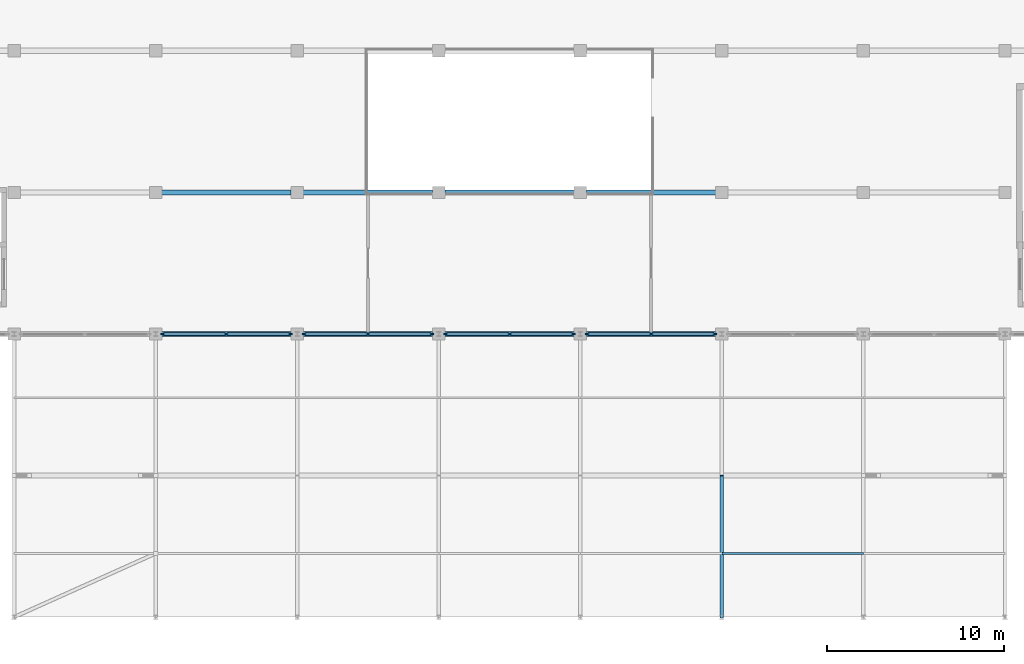
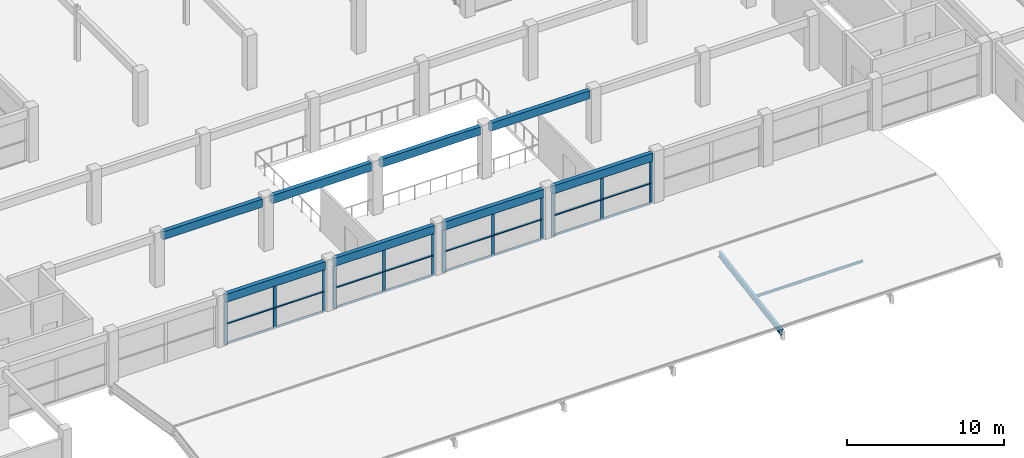
# One storey, part 11 of 67: 37 members, 9 beams, 4 elements without a shape of their own.
"""IFC4 building model written with IfcOpenShell, lengths in metres."""

import ifcopenshell
import ifcopenshell.guid

model = None  # the IFC model being written
_history = None  # IfcOwnerHistory: only IFC2X3 demands one
_inside = {}  # id of a spatial element -> (the spatial element, [elements in it])
_under = {}  # id of a project, library or spatial element -> (it, [spatial elements below it])
_declared = {}  # id of a project -> (the project, [libraries it declares])
_typed = {}  # id of a type object -> (the type object, [elements of that type])
_made_of = {}  # id of a material, layer set ... -> (it, [elements and type objects made of it])


def new_model(schema):
    """Start an empty IFC model of exactly this schema.

    Asked for "IFC4X3", IfcOpenShell would pick the latest addendum, in which some entities
    have other attributes; the version numbers below select the first issue.
    IFC2X3 requires an IfcOwnerHistory on every rooted entity: one is made here for all.
    """
    global model, _history
    if schema == "IFC4X3":
        model = ifcopenshell.file(schema_version=(4, 3, 0, 0))
    else:
        model = ifcopenshell.file(schema=schema)
    _inside.clear()
    _under.clear()
    _declared.clear()
    _typed.clear()
    _made_of.clear()
    _history = None
    if model.schema == "IFC2X3":
        org = make("IfcOrganization", Name="unknown")
        user = make(
            "IfcPersonAndOrganization",
            ThePerson=make("IfcPerson", FamilyName="unknown"),
            TheOrganization=org,
        )
        app = make(
            "IfcApplication",
            ApplicationDeveloper=org,
            Version="unknown",
            ApplicationFullName="unknown",
            ApplicationIdentifier="unknown",
        )
        _history = make(
            "IfcOwnerHistory",
            OwningUser=user,
            OwningApplication=app,
            ChangeAction="ADDED",
            CreationDate=0,
        )
    return model


def make(cls, **values):
    """One entity of the class cls with the attributes given. An attribute that is None is left unset."""
    return model.create_entity(
        cls, **{name: value for name, value in values.items() if value is not None}
    )


def rooted(cls, **values):
    """An entity with a GlobalId (a new one), such as an element, a storey or a relation."""
    return make(cls, GlobalId=ifcopenshell.guid.new(), OwnerHistory=_history, **values)


def si_unit(unit_type, name, prefix=None):
    """IfcSIUnit, for example si_unit("LENGTHUNIT", "METRE", prefix="MILLI")."""
    return make("IfcSIUnit", UnitType=unit_type, Prefix=prefix, Name=name)


def assignment(units):
    """IfcUnitAssignment: the units of a project."""
    return None if units is None else make("IfcUnitAssignment", Units=units)


def point(xyz):
    """IfcCartesianPoint."""
    return None if xyz is None else make("IfcCartesianPoint", Coordinates=xyz)


def direction(xyz):
    """IfcDirection."""
    return None if xyz is None else make("IfcDirection", DirectionRatios=xyz)


def frame(location, z_axis=None, x_axis=None):
    """IfcAxis2Placement3D, a coordinate frame: its origin and axes. An axis left out is left unset."""
    return make(
        "IfcAxis2Placement3D",
        Location=point(location),
        Axis=direction(z_axis),
        RefDirection=direction(x_axis),
    )


def frame_2d(location, x_axis=None):
    """IfcAxis2Placement2D, a coordinate frame in the plane: its origin and x axis."""
    return make(
        "IfcAxis2Placement2D", Location=point(location), RefDirection=direction(x_axis)
    )


def origin():
    """The frame at (0, 0, 0) with its axes left unset."""
    return frame((0.0, 0.0, 0.0))


def origin_2d():
    """The frame at (0, 0) in the plane with its x axis left unset."""
    return frame_2d((0.0, 0.0))


def place(relative_to, where):
    """IfcLocalPlacement: puts the frame where relative to a parent placement (None: the world)."""
    return make(
        "IfcLocalPlacement", PlacementRelTo=relative_to, RelativePlacement=where
    )


def context(
    kind, dimensions, precision=None, world=None, true_north=None, identifier=None
):
    """IfcGeometricRepresentationContext, for example the 3D "Model" context."""
    return make(
        "IfcGeometricRepresentationContext",
        ContextIdentifier=identifier,
        ContextType=kind,
        CoordinateSpaceDimension=dimensions,
        Precision=precision,
        WorldCoordinateSystem=world,
        TrueNorth=true_north,
    )


def subcontext(parent, identifier, kind, view, scale=None):
    """IfcGeometricRepresentationSubContext, for example "Body" below "Model"."""
    return make(
        "IfcGeometricRepresentationSubContext",
        ContextIdentifier=identifier,
        ContextType=kind,
        ParentContext=parent,
        TargetScale=scale,
        TargetView=view,
    )


def project(units=None, contexts=None):
    """IfcProject with its units and contexts."""
    return rooted(
        "IfcProject",
        Name="project",
        RepresentationContexts=contexts,
        UnitsInContext=assignment(units),
    )


def spatial(cls, under=None, at=None, **own):
    """A site, building, storey or space (cls), placed at a placement, below another one or the project."""
    s = rooted(cls, ObjectPlacement=at, **own)
    if under is not None:
        _under.setdefault(under.id(), (under, []))[1].append(s)
    return s


def profile(cls, at=None, kind="AREA", **sizes):
    """A parametric profile (cls). Its sizes go by their IFC names, for example OverallWidth=200.0."""
    return make(cls, ProfileType=kind, Position=at, **sizes)


def rectangle(**sizes):
    """IfcRectangleProfileDef."""
    return profile("IfcRectangleProfileDef", **sizes)


def i_section(**sizes):
    """IfcIShapeProfileDef."""
    return profile("IfcIShapeProfileDef", **sizes)


def extrude(swept, where, along, depth):
    """IfcExtrudedAreaSolid: the profile swept, set in the frame where, extruded along a direction by depth."""
    return make(
        "IfcExtrudedAreaSolid",
        SweptArea=swept,
        Position=where,
        ExtrudedDirection=direction(along),
        Depth=depth,
    )


def shape(context_of_items, identifier, shape_type, items):
    """IfcShapeRepresentation: the items that make up one representation, for example the "Body"."""
    return make(
        "IfcShapeRepresentation",
        ContextOfItems=context_of_items,
        RepresentationIdentifier=identifier,
        RepresentationType=shape_type,
        Items=items,
    )


def material(Name=None, Category=None):
    """IfcMaterial."""
    return make("IfcMaterial", Name=Name, Category=Category)


def material_profile(
    of_material, cross_section, Name=None, Category=None, Priority=None
):
    """IfcMaterialProfile: a cross section and its material."""
    return make(
        "IfcMaterialProfile",
        Name=Name,
        Material=of_material,
        Profile=cross_section,
        Priority=Priority,
        Category=Category,
    )


def profile_set(profiles, Name=None, composite=None):
    """IfcMaterialProfileSet."""
    return make(
        "IfcMaterialProfileSet",
        Name=Name,
        MaterialProfiles=profiles,
        CompositeProfile=composite,
    )


def made_of(thing, what):
    """Note that an element or type object is made of a material, layer set ...; save() writes the relation."""
    if what is not None:
        _made_of.setdefault(what.id(), (what, []))[1].append(thing)
    return thing


def type_object(cls, material=None, **own):
    """A type object (cls), such as IfcWallType, which elements share."""
    return made_of(rooted(cls, **own), material)


def element(
    cls,
    number,
    at=None,
    inside=None,
    cuts=None,
    type_object=None,
    material=None,
    context=None,
    identifier="Body",
    shape_type=None,
    held_by="IfcProductDefinitionShape",
    body=None,
    shapes=None,
    **own,
):
    """One element of the class cls, such as IfcWall. Its Tag is "e" and its number.

    at: its placement. inside: the storey or other place that contains it. cuts: it is an
    opening in that element (IfcRelVoidsElement). A single representation is given by context,
    identifier, shape_type and body (its items); several are given by shapes. held_by: the class
    of the entity that holds the representations. save() writes the other relations.
    """
    e = rooted(cls, Tag="e%d" % number, ObjectPlacement=at, **own)
    if body is not None:
        shapes = [shape(context, identifier, shape_type, body)]
    if shapes is not None:
        e.Representation = make(held_by, Representations=shapes)
    if inside is not None:
        _inside.setdefault(inside.id(), (inside, []))[1].append(e)
    if cuts is not None:
        rooted(
            "IfcRelVoidsElement", RelatingBuildingElement=cuts, RelatedOpeningElement=e
        )
    if type_object is not None:
        _typed.setdefault(type_object.id(), (type_object, []))[1].append(e)
    return made_of(e, material)


def aggregate(whole, parts):
    """IfcRelAggregates: a whole, such as a stair, and the parts it consists of."""
    return rooted("IfcRelAggregates", RelatingObject=whole, RelatedObjects=parts)


def save(model, path):
    """Write the relations noted so far, then the file.

    IfcRelAggregates (storeys below a building ...), IfcRelContainedInSpatialStructure (elements
    in a storey), IfcRelDefinesByType, IfcRelAssociatesMaterial and IfcRelDeclares: one each for
    every whole, place, type object, material and project.
    """
    for whole, parts in _under.values():
        aggregate(whole, parts)
    for where, things in _inside.values():
        rooted(
            "IfcRelContainedInSpatialStructure",
            RelatedElements=things,
            RelatingStructure=where,
        )
    for kind, things in _typed.values():
        rooted("IfcRelDefinesByType", RelatedObjects=things, RelatingType=kind)
    for what, things in _made_of.values():
        rooted("IfcRelAssociatesMaterial", RelatedObjects=things, RelatingMaterial=what)
    for by, libraries in _declared.values():
        rooted("IfcRelDeclares", RelatingContext=by, RelatedDefinitions=libraries)
    model.write(path)


model = new_model("IFC4")

# Units and contexts
model_context = context("Model", 3, precision=1e-05, world=origin(), true_north=direction((0.0, 1.0)))
body_context = subcontext(model_context, "Body", "Model", "MODEL_VIEW")
ifc_project = project(units=[si_unit("LENGTHUNIT", "METRE"), si_unit("AREAUNIT", "SQUARE_METRE"), si_unit("VOLUMEUNIT", "CUBIC_METRE"), si_unit("PLANEANGLEUNIT", "RADIAN"), si_unit("MASSUNIT", "GRAM", prefix="KILO")], contexts=[model_context])

# Site, building, storey
site_placement = place(None, origin())
site = spatial("IfcSite", under=ifc_project, at=site_placement, CompositionType="ELEMENT")
building_placement = place(site_placement, origin())
building = spatial("IfcBuilding", under=site, at=building_placement, Name="Kenh Van Central Station", CompositionType="ELEMENT")
storey_placement = place(building_placement, frame((0.0, 0.0, 10.800048828125)))
storey = spatial("IfcBuildingStorey", under=building, at=storey_placement, Name="L02", CompositionType="ELEMENT", Elevation=10.800048828125)

# Beam
ifc_material_1 = material(Name="Steel S355", Category="steel")
ifc_material_profile_1 = material_profile(ifc_material_1, i_section(OverallWidth=0.18994140625, OverallDepth=0.449951171875, WebThickness=0.009521484375, FlangeThickness=0.0146484375, FilletRadius=0.02099609375, at=origin_2d()), Name="IPE 450")
ifc_profile_set_1 = profile_set([ifc_material_profile_1], Name="Steel S355")
beam_type_1 = type_object("IfcBeamType", Name="BM-STL-IPE450", PredefinedType="BEAM", material=ifc_profile_set_1)
beam_placement = place(storey_placement, frame((96.0, 0.0, -0.4453125), z_axis=(0.0, 0.987051780814, 0.160401938868), x_axis=(-1.0, 0.0, 0.0)))
element("IfcBeam", 1, at=beam_placement, inside=storey, type_object=beam_type_1, Name="L02 roof rafter 018", PredefinedType="BEAM", context=body_context, shape_type="SweptSolid", body=[
    extrude(i_section(OverallWidth=0.18994140625, OverallDepth=0.449951171875, WebThickness=0.009521484375, FlangeThickness=0.0146484375, FilletRadius=0.02099609375, at=origin_2d()), origin(), (0.0, 0.0, 1.0), 8.10498046875),
])

# Curtain wall, members
ifc_material_2 = material(Name="Champagne anodised aluminium", Category="aluminium")
curtain_wall_type = type_object("IfcCurtainWallType", Name="CW-CONC-A", PredefinedType="NOTDEFINED", material=ifc_material_2)
curtain_wall_1_placement = place(storey_placement, origin())
curtain_wall_1 = element("IfcCurtainWall", 2, at=curtain_wall_1_placement, inside=storey, type_object=curtain_wall_type, Name="L02 curtain wall 161", PredefinedType="NOTDEFINED")
ifc_material_profile_2 = material_profile(ifc_material_2, rectangle(XDim=0.08203125, YDim=0.22509765625, at=origin_2d()), Name="AL 82x225")
ifc_profile_set_2 = profile_set([ifc_material_profile_2], Name="Champagne anodised aluminium")
member_type_1 = type_object("IfcMemberType", Name="CWM-70x180", PredefinedType="MULLION", material=ifc_profile_set_2)
member_1_placement = place(storey_placement, frame((64.39111328125, 16.0, 0.0), z_axis=(0.0, 0.0, 1.0), x_axis=(0.0, 1.0, 0.0)))
member_1 = element("IfcMember", 3, at=member_1_placement, type_object=member_type_1, Name="CW-03 mullion 1", PredefinedType="MULLION", context=body_context, shape_type="SweptSolid", body=[
    extrude(rectangle(XDim=0.08203125, YDim=0.22509765625, at=origin_2d()), origin(), (0.0, 0.0, 1.0), 3.35986328125),
])
member_2_placement = place(storey_placement, frame((68.0, 16.0, 0.0), z_axis=(0.0, 0.0, 1.0), x_axis=(0.0, 1.0, 0.0)))
member_2 = element("IfcMember", 4, at=member_2_placement, type_object=member_type_1, Name="CW-03 mullion 2", PredefinedType="MULLION", context=body_context, shape_type="SweptSolid", body=[
    extrude(rectangle(XDim=0.08203125, YDim=0.22509765625, at=origin_2d()), origin(), (0.0, 0.0, 1.0), 3.35986328125),
])
member_3_placement = place(storey_placement, frame((71.60888671875, 16.0, 0.0), z_axis=(0.0, 0.0, 1.0), x_axis=(0.0, 1.0, 0.0)))
member_3 = element("IfcMember", 5, at=member_3_placement, type_object=member_type_1, Name="CW-03 mullion 3", PredefinedType="MULLION", context=body_context, shape_type="SweptSolid", body=[
    extrude(rectangle(XDim=0.08203125, YDim=0.22509765625, at=origin_2d()), origin(), (0.0, 0.0, 1.0), 3.35986328125),
])

curtain_wall_2_placement = place(storey_placement, origin())
curtain_wall_2 = element("IfcCurtainWall", 6, at=curtain_wall_2_placement, inside=storey, type_object=curtain_wall_type, Name="L02 curtain wall 162", PredefinedType="NOTDEFINED")
member_4_placement = place(storey_placement, frame((72.39111328125, 16.0, 0.0), z_axis=(0.0, 0.0, 1.0), x_axis=(0.0, 1.0, 0.0)))
member_4 = element("IfcMember", 7, at=member_4_placement, type_object=member_type_1, Name="CW-03 mullion 1", PredefinedType="MULLION", context=body_context, shape_type="SweptSolid", body=[
    extrude(rectangle(XDim=0.08203125, YDim=0.22509765625, at=origin_2d()), origin(), (0.0, 0.0, 1.0), 3.35986328125),
])
member_5_placement = place(storey_placement, frame((76.0, 16.0, 0.0), z_axis=(0.0, 0.0, 1.0), x_axis=(0.0, 1.0, 0.0)))
member_5 = element("IfcMember", 8, at=member_5_placement, type_object=member_type_1, Name="CW-03 mullion 2", PredefinedType="MULLION", context=body_context, shape_type="SweptSolid", body=[
    extrude(rectangle(XDim=0.08203125, YDim=0.22509765625, at=origin_2d()), origin(), (0.0, 0.0, 1.0), 3.35986328125),
])
member_6_placement = place(storey_placement, frame((79.60888671875, 16.0, 0.0), z_axis=(0.0, 0.0, 1.0), x_axis=(0.0, 1.0, 0.0)))
member_6 = element("IfcMember", 9, at=member_6_placement, type_object=member_type_1, Name="CW-03 mullion 3", PredefinedType="MULLION", context=body_context, shape_type="SweptSolid", body=[
    extrude(rectangle(XDim=0.08203125, YDim=0.22509765625, at=origin_2d()), origin(), (0.0, 0.0, 1.0), 3.35986328125),
])

curtain_wall_3_placement = place(storey_placement, origin())
curtain_wall_3 = element("IfcCurtainWall", 10, at=curtain_wall_3_placement, inside=storey, type_object=curtain_wall_type, Name="L02 curtain wall 163", PredefinedType="NOTDEFINED")
member_7_placement = place(storey_placement, frame((80.39111328125, 16.0, 0.0), z_axis=(0.0, 0.0, 1.0), x_axis=(0.0, 1.0, 0.0)))
member_7 = element("IfcMember", 11, at=member_7_placement, type_object=member_type_1, Name="CW-03 mullion 1", PredefinedType="MULLION", context=body_context, shape_type="SweptSolid", body=[
    extrude(rectangle(XDim=0.08203125, YDim=0.22509765625, at=origin_2d()), origin(), (0.0, 0.0, 1.0), 3.35986328125),
])
member_8_placement = place(storey_placement, frame((84.0, 16.0, 0.0), z_axis=(0.0, 0.0, 1.0), x_axis=(0.0, 1.0, 0.0)))
member_8 = element("IfcMember", 12, at=member_8_placement, type_object=member_type_1, Name="CW-03 mullion 2", PredefinedType="MULLION", context=body_context, shape_type="SweptSolid", body=[
    extrude(rectangle(XDim=0.08203125, YDim=0.22509765625, at=origin_2d()), origin(), (0.0, 0.0, 1.0), 3.35986328125),
])
member_9_placement = place(storey_placement, frame((87.60888671875, 16.0, 0.0), z_axis=(0.0, 0.0, 1.0), x_axis=(0.0, 1.0, 0.0)))
member_9 = element("IfcMember", 13, at=member_9_placement, type_object=member_type_1, Name="CW-03 mullion 3", PredefinedType="MULLION", context=body_context, shape_type="SweptSolid", body=[
    extrude(rectangle(XDim=0.08203125, YDim=0.22509765625, at=origin_2d()), origin(), (0.0, 0.0, 1.0), 3.35986328125),
])

curtain_wall_4_placement = place(storey_placement, origin())
curtain_wall_4 = element("IfcCurtainWall", 14, at=curtain_wall_4_placement, inside=storey, type_object=curtain_wall_type, Name="L02 curtain wall 164", PredefinedType="NOTDEFINED")
member_10_placement = place(storey_placement, frame((88.39111328125, 16.0, 0.0), z_axis=(0.0, 0.0, 1.0), x_axis=(0.0, 1.0, 0.0)))
member_10 = element("IfcMember", 15, at=member_10_placement, type_object=member_type_1, Name="CW-03 mullion 1", PredefinedType="MULLION", context=body_context, shape_type="SweptSolid", body=[
    extrude(rectangle(XDim=0.08203125, YDim=0.22509765625, at=origin_2d()), origin(), (0.0, 0.0, 1.0), 3.35986328125),
])
member_11_placement = place(storey_placement, frame((92.0, 16.0, 0.0), z_axis=(0.0, 0.0, 1.0), x_axis=(0.0, 1.0, 0.0)))
member_11 = element("IfcMember", 16, at=member_11_placement, type_object=member_type_1, Name="CW-03 mullion 2", PredefinedType="MULLION", context=body_context, shape_type="SweptSolid", body=[
    extrude(rectangle(XDim=0.08203125, YDim=0.22509765625, at=origin_2d()), origin(), (0.0, 0.0, 1.0), 3.35986328125),
])
member_12_placement = place(storey_placement, frame((95.60888671875, 16.0, 0.0), z_axis=(0.0, 0.0, 1.0), x_axis=(0.0, 1.0, 0.0)))
member_12 = element("IfcMember", 17, at=member_12_placement, type_object=member_type_1, Name="CW-03 mullion 3", PredefinedType="MULLION", context=body_context, shape_type="SweptSolid", body=[
    extrude(rectangle(XDim=0.08203125, YDim=0.22509765625, at=origin_2d()), origin(), (0.0, 0.0, 1.0), 3.35986328125),
])

# Member
ifc_material_profile_3 = material_profile(ifc_material_2, rectangle(XDim=0.155029296875, YDim=0.072021484375, at=origin_2d()), Name="AL 155x72")
ifc_profile_set_3 = profile_set([ifc_material_profile_3], Name="Champagne anodised aluminium")
member_type_2 = type_object("IfcMemberType", Name="CWT-120x60", PredefinedType="USERDEFINED", material=ifc_profile_set_3)
member_13_placement = place(storey_placement, frame((64.431884765625, 16.0, 0.035888671875), z_axis=(1.0, 0.0, 0.0), x_axis=(0.0, 1.0, 0.0)))
member_13 = element("IfcMember", 18, at=member_13_placement, type_object=member_type_2, Name="CW-03 transom 1.1", ObjectType="TRANSOM", PredefinedType="USERDEFINED", context=body_context, shape_type="SweptSolid", body=[
    extrude(rectangle(XDim=0.155029296875, YDim=0.072021484375, at=origin_2d()), origin(), (0.0, 0.0, 1.0), 3.527099609375),
])

member_14_placement = place(storey_placement, frame((64.431884765625, 16.0, 1.61279296875), z_axis=(1.0, 0.0, 0.0), x_axis=(0.0, 1.0, 0.0)))
member_14 = element("IfcMember", 19, at=member_14_placement, type_object=member_type_2, Name="CW-03 transom 1.2", ObjectType="TRANSOM", PredefinedType="USERDEFINED", context=body_context, shape_type="SweptSolid", body=[
    extrude(rectangle(XDim=0.155029296875, YDim=0.072021484375, at=origin_2d()), origin(), (0.0, 0.0, 1.0), 3.527099609375),
])

member_15_placement = place(storey_placement, frame((64.431884765625, 16.0, 3.323974609375), z_axis=(1.0, 0.0, 0.0), x_axis=(0.0, 1.0, 0.0)))
member_15 = element("IfcMember", 20, at=member_15_placement, type_object=member_type_2, Name="CW-03 transom 1.3", ObjectType="TRANSOM", PredefinedType="USERDEFINED", context=body_context, shape_type="SweptSolid", body=[
    extrude(rectangle(XDim=0.155029296875, YDim=0.072021484375, at=origin_2d()), origin(), (0.0, 0.0, 1.0), 3.527099609375),
])

member_16_placement = place(storey_placement, frame((68.041015625, 16.0, 0.035888671875), z_axis=(1.0, 0.0, 0.0), x_axis=(0.0, 1.0, 0.0)))
member_16 = element("IfcMember", 21, at=member_16_placement, type_object=member_type_2, Name="CW-03 transom 2.1", ObjectType="TRANSOM", PredefinedType="USERDEFINED", context=body_context, shape_type="SweptSolid", body=[
    extrude(rectangle(XDim=0.155029296875, YDim=0.072021484375, at=origin_2d()), origin(), (0.0, 0.0, 1.0), 3.527099609375),
])

member_17_placement = place(storey_placement, frame((68.041015625, 16.0, 1.61279296875), z_axis=(1.0, 0.0, 0.0), x_axis=(0.0, 1.0, 0.0)))
member_17 = element("IfcMember", 22, at=member_17_placement, type_object=member_type_2, Name="CW-03 transom 2.2", ObjectType="TRANSOM", PredefinedType="USERDEFINED", context=body_context, shape_type="SweptSolid", body=[
    extrude(rectangle(XDim=0.155029296875, YDim=0.072021484375, at=origin_2d()), origin(), (0.0, 0.0, 1.0), 3.527099609375),
])

member_18_placement = place(storey_placement, frame((68.041015625, 16.0, 3.323974609375), z_axis=(1.0, 0.0, 0.0), x_axis=(0.0, 1.0, 0.0)))
member_18 = element("IfcMember", 23, at=member_18_placement, type_object=member_type_2, Name="CW-03 transom 2.3", ObjectType="TRANSOM", PredefinedType="USERDEFINED", context=body_context, shape_type="SweptSolid", body=[
    extrude(rectangle(XDim=0.155029296875, YDim=0.072021484375, at=origin_2d()), origin(), (0.0, 0.0, 1.0), 3.527099609375),
])

aggregate(curtain_wall_1, [member_1, member_2, member_3, member_13, member_14, member_15, member_16, member_17, member_18])

member_19_placement = place(storey_placement, frame((72.431884765625, 16.0, 0.035888671875), z_axis=(1.0, 0.0, 0.0), x_axis=(0.0, 1.0, 0.0)))
member_19 = element("IfcMember", 24, at=member_19_placement, type_object=member_type_2, Name="CW-03 transom 1.1", ObjectType="TRANSOM", PredefinedType="USERDEFINED", context=body_context, shape_type="SweptSolid", body=[
    extrude(rectangle(XDim=0.155029296875, YDim=0.072021484375, at=origin_2d()), origin(), (0.0, 0.0, 1.0), 3.527099609375),
])

member_20_placement = place(storey_placement, frame((72.431884765625, 16.0, 1.61279296875), z_axis=(1.0, 0.0, 0.0), x_axis=(0.0, 1.0, 0.0)))
member_20 = element("IfcMember", 25, at=member_20_placement, type_object=member_type_2, Name="CW-03 transom 1.2", ObjectType="TRANSOM", PredefinedType="USERDEFINED", context=body_context, shape_type="SweptSolid", body=[
    extrude(rectangle(XDim=0.155029296875, YDim=0.072021484375, at=origin_2d()), origin(), (0.0, 0.0, 1.0), 3.527099609375),
])

member_21_placement = place(storey_placement, frame((72.431884765625, 16.0, 3.323974609375), z_axis=(1.0, 0.0, 0.0), x_axis=(0.0, 1.0, 0.0)))
member_21 = element("IfcMember", 26, at=member_21_placement, type_object=member_type_2, Name="CW-03 transom 1.3", ObjectType="TRANSOM", PredefinedType="USERDEFINED", context=body_context, shape_type="SweptSolid", body=[
    extrude(rectangle(XDim=0.155029296875, YDim=0.072021484375, at=origin_2d()), origin(), (0.0, 0.0, 1.0), 3.527099609375),
])

member_22_placement = place(storey_placement, frame((76.041015625, 16.0, 0.035888671875), z_axis=(1.0, 0.0, 0.0), x_axis=(0.0, 1.0, 0.0)))
member_22 = element("IfcMember", 27, at=member_22_placement, type_object=member_type_2, Name="CW-03 transom 2.1", ObjectType="TRANSOM", PredefinedType="USERDEFINED", context=body_context, shape_type="SweptSolid", body=[
    extrude(rectangle(XDim=0.155029296875, YDim=0.072021484375, at=origin_2d()), origin(), (0.0, 0.0, 1.0), 3.527099609375),
])

member_23_placement = place(storey_placement, frame((76.041015625, 16.0, 1.61279296875), z_axis=(1.0, 0.0, 0.0), x_axis=(0.0, 1.0, 0.0)))
member_23 = element("IfcMember", 28, at=member_23_placement, type_object=member_type_2, Name="CW-03 transom 2.2", ObjectType="TRANSOM", PredefinedType="USERDEFINED", context=body_context, shape_type="SweptSolid", body=[
    extrude(rectangle(XDim=0.155029296875, YDim=0.072021484375, at=origin_2d()), origin(), (0.0, 0.0, 1.0), 3.527099609375),
])

member_24_placement = place(storey_placement, frame((76.041015625, 16.0, 3.323974609375), z_axis=(1.0, 0.0, 0.0), x_axis=(0.0, 1.0, 0.0)))
member_24 = element("IfcMember", 29, at=member_24_placement, type_object=member_type_2, Name="CW-03 transom 2.3", ObjectType="TRANSOM", PredefinedType="USERDEFINED", context=body_context, shape_type="SweptSolid", body=[
    extrude(rectangle(XDim=0.155029296875, YDim=0.072021484375, at=origin_2d()), origin(), (0.0, 0.0, 1.0), 3.527099609375),
])

aggregate(curtain_wall_2, [member_4, member_5, member_6, member_19, member_20, member_21, member_22, member_23, member_24])

member_25_placement = place(storey_placement, frame((80.431884765625, 16.0, 0.035888671875), z_axis=(1.0, 0.0, 0.0), x_axis=(0.0, 1.0, 0.0)))
member_25 = element("IfcMember", 30, at=member_25_placement, type_object=member_type_2, Name="CW-03 transom 1.1", ObjectType="TRANSOM", PredefinedType="USERDEFINED", context=body_context, shape_type="SweptSolid", body=[
    extrude(rectangle(XDim=0.155029296875, YDim=0.072021484375, at=origin_2d()), origin(), (0.0, 0.0, 1.0), 3.527099609375),
])

member_26_placement = place(storey_placement, frame((80.431884765625, 16.0, 1.61279296875), z_axis=(1.0, 0.0, 0.0), x_axis=(0.0, 1.0, 0.0)))
member_26 = element("IfcMember", 31, at=member_26_placement, type_object=member_type_2, Name="CW-03 transom 1.2", ObjectType="TRANSOM", PredefinedType="USERDEFINED", context=body_context, shape_type="SweptSolid", body=[
    extrude(rectangle(XDim=0.155029296875, YDim=0.072021484375, at=origin_2d()), origin(), (0.0, 0.0, 1.0), 3.527099609375),
])

member_27_placement = place(storey_placement, frame((80.431884765625, 16.0, 3.323974609375), z_axis=(1.0, 0.0, 0.0), x_axis=(0.0, 1.0, 0.0)))
member_27 = element("IfcMember", 32, at=member_27_placement, type_object=member_type_2, Name="CW-03 transom 1.3", ObjectType="TRANSOM", PredefinedType="USERDEFINED", context=body_context, shape_type="SweptSolid", body=[
    extrude(rectangle(XDim=0.155029296875, YDim=0.072021484375, at=origin_2d()), origin(), (0.0, 0.0, 1.0), 3.527099609375),
])

member_28_placement = place(storey_placement, frame((84.041015625, 16.0, 0.035888671875), z_axis=(1.0, 0.0, 0.0), x_axis=(0.0, 1.0, 0.0)))
member_28 = element("IfcMember", 33, at=member_28_placement, type_object=member_type_2, Name="CW-03 transom 2.1", ObjectType="TRANSOM", PredefinedType="USERDEFINED", context=body_context, shape_type="SweptSolid", body=[
    extrude(rectangle(XDim=0.155029296875, YDim=0.072021484375, at=origin_2d()), origin(), (0.0, 0.0, 1.0), 3.527099609375),
])

member_29_placement = place(storey_placement, frame((84.041015625, 16.0, 1.61279296875), z_axis=(1.0, 0.0, 0.0), x_axis=(0.0, 1.0, 0.0)))
member_29 = element("IfcMember", 34, at=member_29_placement, type_object=member_type_2, Name="CW-03 transom 2.2", ObjectType="TRANSOM", PredefinedType="USERDEFINED", context=body_context, shape_type="SweptSolid", body=[
    extrude(rectangle(XDim=0.155029296875, YDim=0.072021484375, at=origin_2d()), origin(), (0.0, 0.0, 1.0), 3.527099609375),
])

member_30_placement = place(storey_placement, frame((84.041015625, 16.0, 3.323974609375), z_axis=(1.0, 0.0, 0.0), x_axis=(0.0, 1.0, 0.0)))
member_30 = element("IfcMember", 35, at=member_30_placement, type_object=member_type_2, Name="CW-03 transom 2.3", ObjectType="TRANSOM", PredefinedType="USERDEFINED", context=body_context, shape_type="SweptSolid", body=[
    extrude(rectangle(XDim=0.155029296875, YDim=0.072021484375, at=origin_2d()), origin(), (0.0, 0.0, 1.0), 3.527099609375),
])

aggregate(curtain_wall_3, [member_7, member_8, member_9, member_25, member_26, member_27, member_28, member_29, member_30])

member_31_placement = place(storey_placement, frame((88.431884765625, 16.0, 0.035888671875), z_axis=(1.0, 0.0, 0.0), x_axis=(0.0, 1.0, 0.0)))
member_31 = element("IfcMember", 36, at=member_31_placement, type_object=member_type_2, Name="CW-03 transom 1.1", ObjectType="TRANSOM", PredefinedType="USERDEFINED", context=body_context, shape_type="SweptSolid", body=[
    extrude(rectangle(XDim=0.155029296875, YDim=0.072021484375, at=origin_2d()), origin(), (0.0, 0.0, 1.0), 3.527099609375),
])

member_32_placement = place(storey_placement, frame((88.431884765625, 16.0, 1.61279296875), z_axis=(1.0, 0.0, 0.0), x_axis=(0.0, 1.0, 0.0)))
member_32 = element("IfcMember", 37, at=member_32_placement, type_object=member_type_2, Name="CW-03 transom 1.2", ObjectType="TRANSOM", PredefinedType="USERDEFINED", context=body_context, shape_type="SweptSolid", body=[
    extrude(rectangle(XDim=0.155029296875, YDim=0.072021484375, at=origin_2d()), origin(), (0.0, 0.0, 1.0), 3.527099609375),
])

member_33_placement = place(storey_placement, frame((88.431884765625, 16.0, 3.323974609375), z_axis=(1.0, 0.0, 0.0), x_axis=(0.0, 1.0, 0.0)))
member_33 = element("IfcMember", 38, at=member_33_placement, type_object=member_type_2, Name="CW-03 transom 1.3", ObjectType="TRANSOM", PredefinedType="USERDEFINED", context=body_context, shape_type="SweptSolid", body=[
    extrude(rectangle(XDim=0.155029296875, YDim=0.072021484375, at=origin_2d()), origin(), (0.0, 0.0, 1.0), 3.527099609375),
])

member_34_placement = place(storey_placement, frame((92.041015625, 16.0, 0.035888671875), z_axis=(1.0, 0.0, 0.0), x_axis=(0.0, 1.0, 0.0)))
member_34 = element("IfcMember", 39, at=member_34_placement, type_object=member_type_2, Name="CW-03 transom 2.1", ObjectType="TRANSOM", PredefinedType="USERDEFINED", context=body_context, shape_type="SweptSolid", body=[
    extrude(rectangle(XDim=0.155029296875, YDim=0.072021484375, at=origin_2d()), origin(), (0.0, 0.0, 1.0), 3.527099609375),
])

member_35_placement = place(storey_placement, frame((92.041015625, 16.0, 1.61279296875), z_axis=(1.0, 0.0, 0.0), x_axis=(0.0, 1.0, 0.0)))
member_35 = element("IfcMember", 40, at=member_35_placement, type_object=member_type_2, Name="CW-03 transom 2.2", ObjectType="TRANSOM", PredefinedType="USERDEFINED", context=body_context, shape_type="SweptSolid", body=[
    extrude(rectangle(XDim=0.155029296875, YDim=0.072021484375, at=origin_2d()), origin(), (0.0, 0.0, 1.0), 3.527099609375),
])

member_36_placement = place(storey_placement, frame((92.041015625, 16.0, 3.323974609375), z_axis=(1.0, 0.0, 0.0), x_axis=(0.0, 1.0, 0.0)))
member_36 = element("IfcMember", 41, at=member_36_placement, type_object=member_type_2, Name="CW-03 transom 2.3", ObjectType="TRANSOM", PredefinedType="USERDEFINED", context=body_context, shape_type="SweptSolid", body=[
    extrude(rectangle(XDim=0.155029296875, YDim=0.072021484375, at=origin_2d()), origin(), (0.0, 0.0, 1.0), 3.527099609375),
])

aggregate(curtain_wall_4, [member_10, member_11, member_12, member_31, member_32, member_33, member_34, member_35, member_36])

ifc_material_profile_4 = material_profile(ifc_material_1, i_section(OverallWidth=0.10009765625, OverallDepth=0.199951171875, WebThickness=0.005615234375, FlangeThickness=0.008544921875, FilletRadius=0.011962890625, at=origin_2d()), Name="IPE 200")
ifc_profile_set_4 = profile_set([ifc_material_profile_4], Name="Steel S355")
member_type_3 = type_object("IfcMemberType", Name="MEM-PUR-IPE200", PredefinedType="PURLIN", material=ifc_profile_set_4)
member_37_placement = place(storey_placement, frame((96.0, 3.60009765625, 0.1396484375), z_axis=(1.0, 0.0, 0.0), x_axis=(0.0, 1.0, 0.0)))
element("IfcMember", 42, at=member_37_placement, inside=storey, type_object=member_type_3, Name="L02 roof purlin 006", PredefinedType="PURLIN", context=body_context, shape_type="SweptSolid", body=[
    extrude(i_section(OverallWidth=0.10009765625, OverallDepth=0.199951171875, WebThickness=0.005615234375, FlangeThickness=0.008544921875, FilletRadius=0.011962890625, at=origin_2d()), origin(), (0.0, 0.0, 1.0), 8.0),
])

# Beams
ifc_material_3 = material(Name="Concrete C35/45", Category="concrete")
ifc_material_profile_5 = material_profile(ifc_material_3, rectangle(XDim=0.300048828125, YDim=0.6201171875, at=origin_2d()), Name="RC 300x620")
ifc_profile_set_5 = profile_set([ifc_material_profile_5], Name="Concrete C35/45")
beam_type_2 = type_object("IfcBeamType", Name="SPD-RC-300x620", PredefinedType="SPANDREL", material=ifc_profile_set_5)
for number, where, z_axis, x_axis, name in (
    (43, (64.340087890625, 16.0, 3.669921875), (1.0, 0.0, 0.0), (0.0, 1.0, 0.0), "L02 beam 0922"),
    (44, (72.340087890625, 16.0, 3.669921875), (1.0, 0.0, 0.0), (0.0, 1.0, 0.0), "L02 beam 0923"),
    (45, (80.340087890625, 16.0, 3.669921875), (1.0, 0.0, 0.0), (0.0, 1.0, 0.0), "L02 beam 0924"),
    (46, (88.340087890625, 16.0, 3.669921875), (1.0, 0.0, 0.0), (0.0, 1.0, 0.0), "L02 beam 0925"),
    (47, (64.340087890625, 24.0, 3.669921875), (1.0, 0.0, 0.0), (0.0, 1.0, 0.0), "L02 beam 0936"),
    (48, (72.340087890625, 24.0, 3.669921875), (1.0, 0.0, 0.0), (0.0, 1.0, 0.0), "L02 beam 0937"),
    (49, (80.340087890625, 24.0, 3.669921875), (1.0, 0.0, 0.0), (0.0, 1.0, 0.0), "L02 beam 0938"),
    (50, (88.340087890625, 24.0, 3.669921875), (1.0, 0.0, 0.0), (0.0, 1.0, 0.0), "L02 beam 0939"),
):
    element("IfcBeam", number, at=place(storey_placement, frame(where, z_axis=z_axis, x_axis=x_axis)), inside=storey, type_object=beam_type_2, Name=name, PredefinedType="SPANDREL", context=body_context, shape_type="SweptSolid", body=[
        extrude(rectangle(XDim=0.300048828125, YDim=0.6201171875, at=origin_2d()), origin(), (0.0, 0.0, 1.0), 7.31982421875),
    ])

save(model, "model.ifc")
